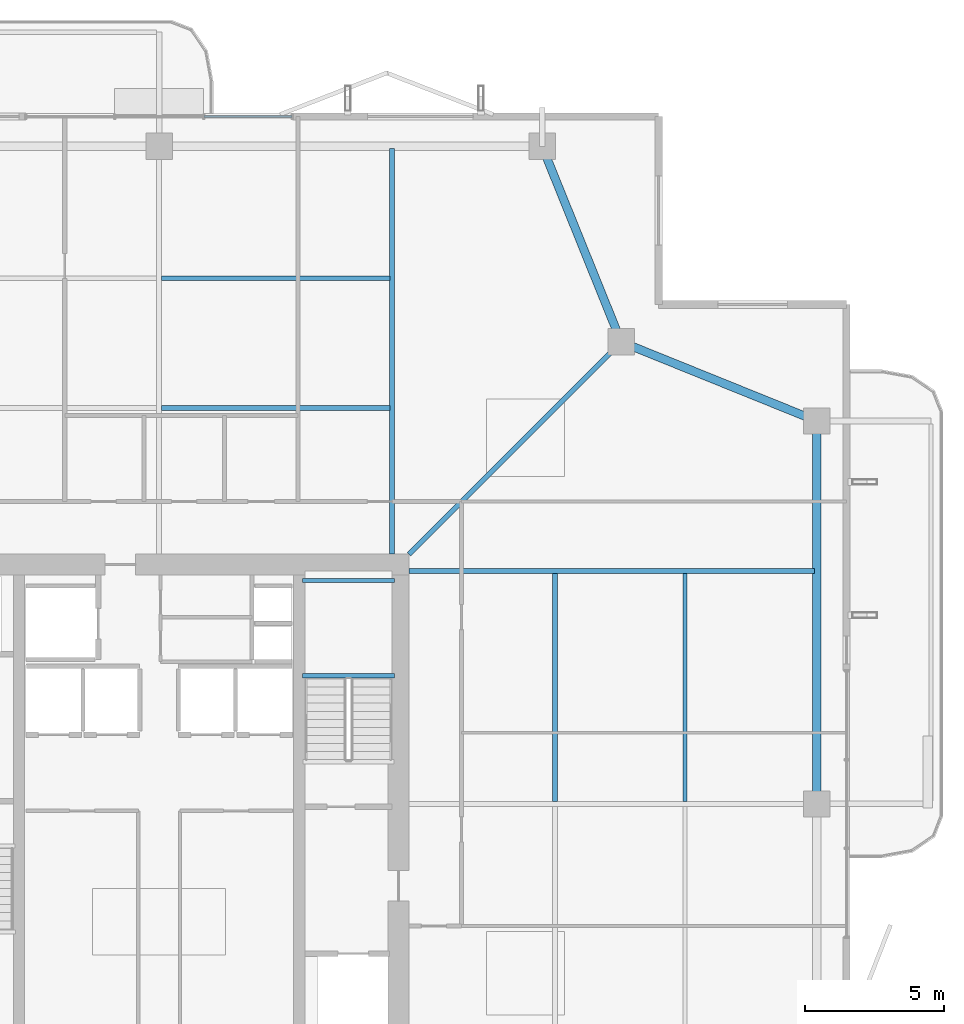
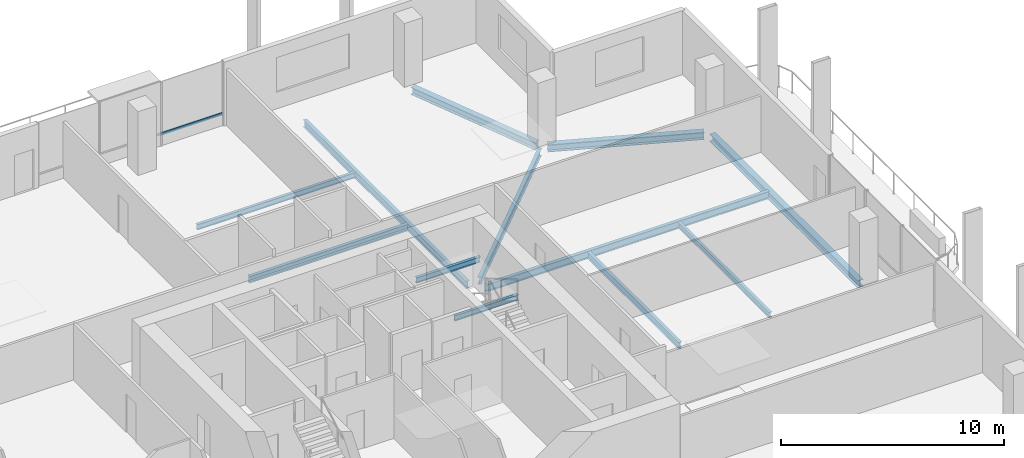
# One storey, part 14 of 25: 12 beams, 1 member, 1 element without a shape of its own.
"""IFC4 building model written with IfcOpenShell, lengths in metres."""

from ifc_helpers import new_model, si_unit, direction, frame, origin, origin_2d, place, context, subcontext, project, spatial, hollow_rectangle, i_section, extrude, material, layer, layer_set, material_profile, profile_set, type_object, element, aggregate, save


model = new_model("IFC4")

# Units and contexts
model_context = context("Model", 3, precision=1e-05, world=origin(), true_north=direction((0.0, 1.0)))
body_context = subcontext(model_context, "Body", "Model", "MODEL_VIEW")
ifc_project = project(units=[si_unit("LENGTHUNIT", "METRE"), si_unit("AREAUNIT", "SQUARE_METRE"), si_unit("VOLUMEUNIT", "CUBIC_METRE"), si_unit("PLANEANGLEUNIT", "RADIAN"), si_unit("MASSUNIT", "GRAM", prefix="KILO")], contexts=[model_context])

# Site, building, storey
site_placement = place(None, origin())
site = spatial("IfcSite", under=ifc_project, at=site_placement, CompositionType="ELEMENT")
building_placement = place(site_placement, origin())
building = spatial("IfcBuilding", under=site, at=building_placement, Name="Belovzor Exchange Tower", CompositionType="ELEMENT")
storey_placement = place(building_placement, frame((0.0, 0.0, 257.85009765625)))
storey = spatial("IfcBuildingStorey", under=building, at=storey_placement, Name="L64", CompositionType="ELEMENT", Elevation=257.85009765625)

# Beams
ifc_material_1 = material(Name="Steel S355", Category="steel")
ifc_material_profile_1 = material_profile(ifc_material_1, i_section(OverallWidth=0.169921875, OverallDepth=0.360107421875, WebThickness=0.008056640625, FlangeThickness=0.0126953125, at=origin_2d()))
ifc_profile_set_1 = profile_set([ifc_material_profile_1], Name="Steel S355")
beam_type_1 = type_object("IfcBeamType", Name="Secondary Infill Floor Joist IPE 360", PredefinedType="BEAM", material=ifc_profile_set_1)
for number, where, z_axis, x_axis, name in (
    (1, (28.889892578125, 43.06494140625, -0.43017578125), (1.0, 0.0, 0.0), (0.0, 1.0, 0.0), "FJ-360 Secondary Infill Floor Joist IPE 360"),
    (2, (43.06494140625, 28.889892578125, -0.43017578125), (0.0, 1.0, 0.0), (-1.0, 0.0, 0.0), "FJ-360 Secondary Infill Floor Joist IPE 360"),
):
    element("IfcBeam", number, at=place(storey_placement, frame(where, z_axis=z_axis, x_axis=x_axis)), inside=storey, type_object=beam_type_1, Name=name, PredefinedType="BEAM", context=body_context, shape_type="SweptSolid", body=[
        extrude(i_section(OverallWidth=0.169921875, OverallDepth=0.360107421875, WebThickness=0.008056640625, FlangeThickness=0.0126953125, at=origin_2d()), origin(), (0.0, 0.0, 1.0), 8.22021484375),
    ])
ifc_material_2 = material(Name="Steel S355", Category="steel")
ifc_material_profile_2 = material_profile(ifc_material_2, i_section(OverallWidth=0.14990234375, OverallDepth=0.300048828125, WebThickness=0.007080078125, FlangeThickness=0.0107421875, at=origin_2d()))
ifc_profile_set_2 = profile_set([ifc_material_profile_2], Name="Steel S355")
beam_type_2 = type_object("IfcBeamType", Name="Secondary Trim Floor Joist IPE 300", PredefinedType="BEAM", material=ifc_profile_set_2)
for number, where, z_axis, x_axis, name in (
    (3, (37.280029296875, 33.419921875, 1.52490234375), (-1.0, 0.0, 0.0), (0.0, -1.0, 0.0), "FJ-300 Secondary Trim Floor Joist IPE 300"),
    (4, (37.280029296875, 36.85009765625, 1.52490234375), (-1.0, 0.0, 0.0), (0.0, -1.0, 0.0), "FJ-300 Secondary Trim Floor Joist IPE 300"),
):
    element("IfcBeam", number, at=place(storey_placement, frame(where, z_axis=z_axis, x_axis=x_axis)), inside=storey, type_object=beam_type_2, Name=name, PredefinedType="BEAM", context=body_context, shape_type="SweptSolid", body=[
        extrude(i_section(OverallWidth=0.14990234375, OverallDepth=0.300048828125, WebThickness=0.007080078125, FlangeThickness=0.0107421875, at=origin_2d()), origin(), (0.0, 0.0, 1.0), 3.31005859375),
    ])
for number, where, z_axis, x_axis, name in (
    (5, (28.889892578125, 47.7451171875, -0.400146484375), (1.0, 0.0, 0.0), (0.0, 1.0, 0.0), "FJ-300 Secondary Trim Floor Joist IPE 300"),
    (6, (47.7451171875, 28.889892578125, -0.400146484375), (0.0, 1.0, 0.0), (-1.0, 0.0, 0.0), "FJ-300 Secondary Trim Floor Joist IPE 300"),
):
    element("IfcBeam", number, at=place(storey_placement, frame(where, z_axis=z_axis, x_axis=x_axis)), inside=storey, type_object=beam_type_2, Name=name, PredefinedType="BEAM", context=body_context, shape_type="SweptSolid", body=[
        extrude(i_section(OverallWidth=0.14990234375, OverallDepth=0.300048828125, WebThickness=0.007080078125, FlangeThickness=0.0107421875, at=origin_2d()), origin(), (0.0, 0.0, 1.0), 8.22021484375),
    ])

# Curtain wall, member
ifc_material_3 = material(Name="Anodised Aluminium Framing", Category="aluminium")
ifc_layer = layer(ifc_material_3, 0.179931640625)
ifc_layer_set = layer_set([ifc_layer], Name="Anodised Aluminium Framing")
curtain_wall_type = type_object("IfcCurtainWallType", Name="Recessed Loggia Low-Iron Triple-Glazed Curtain Wall", PredefinedType="NOTDEFINED", material=ifc_layer_set)
curtain_wall_placement = place(storey_placement, origin())
curtain_wall = element("IfcCurtainWall", 7, at=curtain_wall_placement, inside=storey, type_object=curtain_wall_type, Name="CW3 Recessed Loggia Low-Iron Triple-Glazed Curtain Wall L64", PredefinedType="NOTDEFINED")
ifc_material_4 = material(Name="Steel S355", Category="steel")
ifc_material_profile_3 = material_profile(ifc_material_4, hollow_rectangle(XDim=0.06005859375, YDim=0.14990234375, WallThickness=0.00390625, at=origin_2d()))
ifc_profile_set_3 = profile_set([ifc_material_profile_3], Name="Steel S355")
member_type = type_object("IfcMemberType", Name="Thermally Broken Curtain Wall Transom 150x60", PredefinedType="USERDEFINED", material=ifc_profile_set_3)
member_placement = place(storey_placement, frame((30.407958984375, 53.570068359375, 0.6298828125), z_axis=(1.0, 0.0, 0.0), x_axis=(0.0, 1.0, 0.0)))
member = element("IfcMember", 8, at=member_placement, type_object=member_type, Name="CW-T150 Curtain Wall Transom 3", ObjectType="TRANSOM", PredefinedType="USERDEFINED", context=body_context, shape_type="SweptSolid", body=[
    extrude(hollow_rectangle(XDim=0.06005859375, YDim=0.14990234375, WallThickness=0.00390625, at=origin_2d()), origin(), (0.0, 0.0, 1.0), 3.18408203125),
])
aggregate(curtain_wall, [member])

# Beams
ifc_material_5 = material(Name="Steel S355", Category="steel")
ifc_material_profile_4 = material_profile(ifc_material_5, i_section(OverallWidth=0.300048828125, OverallDepth=0.39990234375, WebThickness=0.013427734375, FlangeThickness=0.02392578125, at=origin_2d()))
ifc_profile_set_4 = profile_set([ifc_material_profile_4], Name="Steel S355")
beam_type_3 = type_object("IfcBeamType", Name="Zone 5 Primary Girder HEB 400", PredefinedType="BEAM", material=ifc_profile_set_4)
beam_1_placement = place(storey_placement, frame((52.5, 29.06103515625, -0.4501953125), z_axis=(0.0, 1.0, 0.0), x_axis=(-1.0, 0.0, 0.0)))
element("IfcBeam", 9, at=beam_1_placement, inside=storey, type_object=beam_type_3, Name="FG-Z5 Zone 5 Primary Girder HEB 400", PredefinedType="BEAM", context=body_context, shape_type="SweptSolid", body=[
    extrude(i_section(OverallWidth=0.300048828125, OverallDepth=0.39990234375, WebThickness=0.013427734375, FlangeThickness=0.02392578125, at=origin_2d()), origin(), (0.0, 0.0, 1.0), 13.278076171875),
])
for number, where, z_axis, x_axis, name in (
    (10, (52.258056640625, 42.697998046875, -0.4501953125), (-0.927127394661, 0.374746306278, 0.0), (-0.374746306278, -0.927127394661, 0.0), "FG-Z5 Zone 5 Primary Girder HEB 400"),
    (11, (45.35205078125, 45.69189453125, -0.4501953125), (-0.374746306278, 0.927127394661, 0.0), (-0.927127394661, -0.374746306278, 0.0), "FG-Z5 Zone 5 Primary Girder HEB 400"),
):
    element("IfcBeam", number, at=place(storey_placement, frame(where, z_axis=z_axis, x_axis=x_axis)), inside=storey, type_object=beam_type_3, Name=name, PredefinedType="BEAM", context=body_context, shape_type="SweptSolid", body=[
        extrude(i_section(OverallWidth=0.300048828125, OverallDepth=0.39990234375, WebThickness=0.013427734375, FlangeThickness=0.02392578125, at=origin_2d()), origin(), (0.0, 0.0, 1.0), 7.082275390625),
    ])
ifc_material_6 = material(Name="Steel S355", Category="steel")
ifc_material_profile_5 = material_profile(ifc_material_6, i_section(OverallWidth=0.179931640625, OverallDepth=0.39990234375, WebThickness=0.008544921875, FlangeThickness=0.013427734375, at=origin_2d()))
ifc_profile_set_5 = profile_set([ifc_material_profile_5], Name="Steel S355")
beam_type_4 = type_object("IfcBeamType", Name="Zone 5-6 Radial Composite Floor Beam IPE 400", PredefinedType="BEAM", material=ifc_profile_set_5)
for number, where, z_axis, x_axis, name in (
    (12, (37.199951171875, 37.800048828125, -0.4501953125), (0.0, 1.0, 0.0), (-1.0, 0.0, 0.0), "FB-400 Zone 5-6 Radial Composite Floor Beam IPE 400"),
    (13, (37.800048828125, 37.199951171875, -0.4501953125), (1.0, 0.0, 0.0), (0.0, 1.0, 0.0), "FB-400 Zone 5-6 Radial Composite Floor Beam IPE 400"),
):
    element("IfcBeam", number, at=place(storey_placement, frame(where, z_axis=z_axis, x_axis=x_axis)), inside=storey, type_object=beam_type_4, Name=name, PredefinedType="BEAM", context=body_context, shape_type="SweptSolid", body=[
        extrude(i_section(OverallWidth=0.179931640625, OverallDepth=0.39990234375, WebThickness=0.008544921875, FlangeThickness=0.013427734375, at=origin_2d()), origin(), (0.0, 0.0, 1.0), 14.625),
    ])
beam_2_placement = place(storey_placement, frame((37.800048828125, 37.800048828125, -0.4501953125), z_axis=(0.707106781187, 0.707106781187, 0.0), x_axis=(-0.707106781187, 0.707106781187, 0.0)))
element("IfcBeam", 14, at=beam_2_placement, inside=storey, type_object=beam_type_4, Name="FB-400 Zone 5-6 Radial Composite Floor Beam IPE 400", PredefinedType="BEAM", context=body_context, shape_type="SweptSolid", body=[
    extrude(i_section(OverallWidth=0.179931640625, OverallDepth=0.39990234375, WebThickness=0.008544921875, FlangeThickness=0.013427734375, at=origin_2d()), origin(), (0.0, 0.0, 1.0), 10.4833984375),
])

save(model, "model.ifc")
